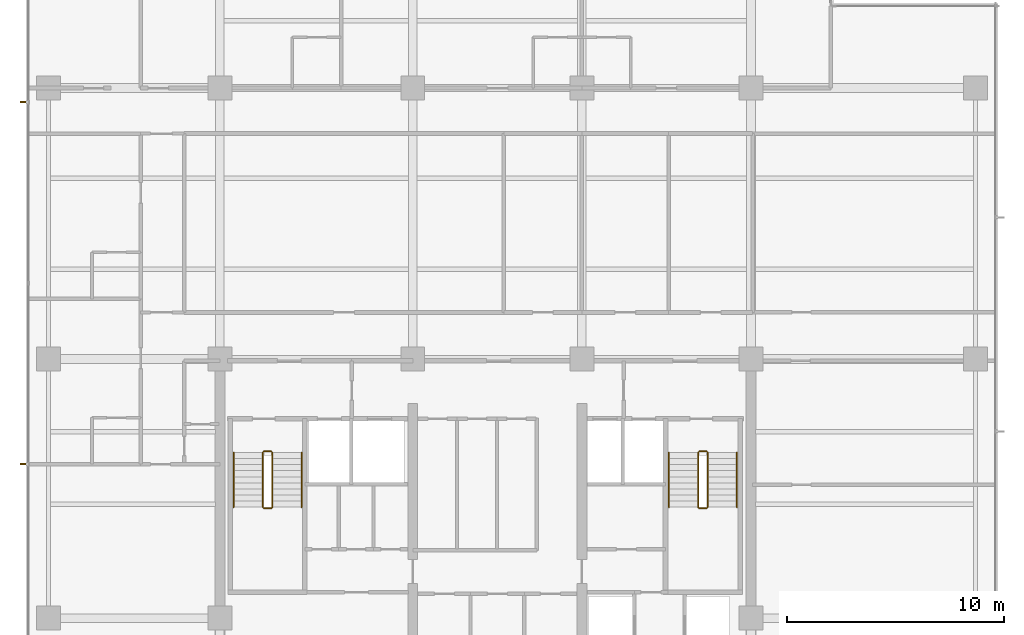
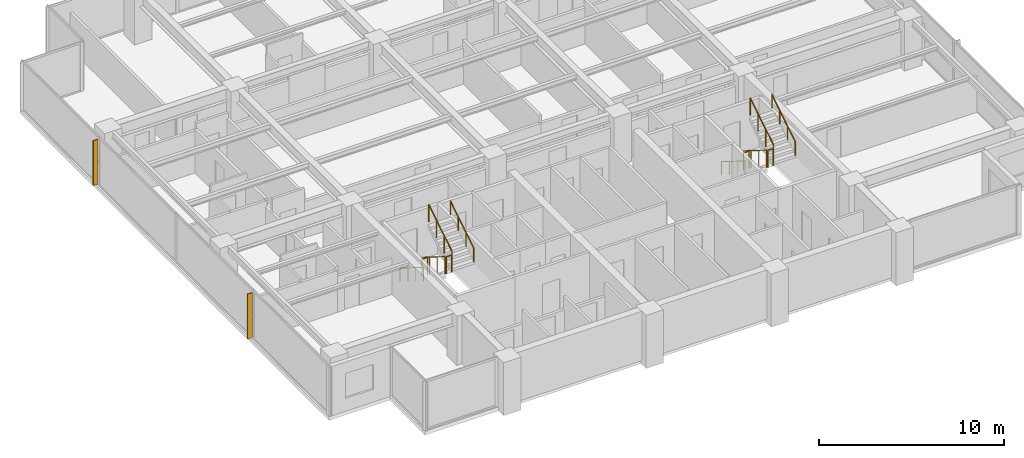
# One storey, part 14 of 15: 12 railings, 2 shading devices.
"""IFC4 building model written with IfcOpenShell, lengths in metres."""

from ifc_helpers import new_model, si_unit, direction, frame, origin, origin_2d, place, context, subcontext, project, spatial, polyline, circle, outline, extrude, material, layer, layer_set, type_object, element, save


model = new_model("IFC4")

# Units and contexts
model_context = context("Model", 3, precision=1e-05, world=origin(), true_north=direction((0.0, 1.0)))
body_context = subcontext(model_context, "Body", "Model", "MODEL_VIEW")
ifc_project = project(units=[si_unit("LENGTHUNIT", "METRE"), si_unit("AREAUNIT", "SQUARE_METRE"), si_unit("VOLUMEUNIT", "CUBIC_METRE"), si_unit("PLANEANGLEUNIT", "RADIAN"), si_unit("MASSUNIT", "GRAM", prefix="KILO")], contexts=[model_context])

# Site, building, storey
site_placement = place(None, origin())
site = spatial("IfcSite", under=ifc_project, at=site_placement, CompositionType="ELEMENT")
building_placement = place(site_placement, origin())
building = spatial("IfcBuilding", under=site, at=building_placement, Name="Qalmaran Belvedere Hotel", CompositionType="ELEMENT")
storey_placement = place(building_placement, frame((0.0, 0.0, 163.10009765625)))
storey = spatial("IfcBuildingStorey", under=building, at=storey_placement, Name="L41", CompositionType="ELEMENT", Elevation=163.10009765625)

# Shading devices
ifc_material_1 = material(Name="Anodised Bronze Aluminium", Category="aluminium")
ifc_layer = layer(ifc_material_1, 0.06494140625, Name="Anodised Bronze Aluminium")
ifc_layer_set = layer_set([ifc_layer], Name="Anodised Bronze Aluminium")
shading_device_type = type_object("IfcShadingDeviceType", Name="FIN-BRNZ-300", PredefinedType="USERDEFINED", material=ifc_layer_set)
shading_device_1_placement = place(storey_placement, frame((0.0, 0.0, 0.159912109375)))
element("IfcShadingDevice", 1, at=shading_device_1_placement, inside=storey, type_object=shading_device_type, Name="L41 Bronze Fin 1", ObjectType="FIN", PredefinedType="USERDEFINED", context=body_context, shape_type="SweptSolid", body=[
    extrude(outline(polyline([(11.3798828125, 32.382568359375), (11.080078125, 32.382568359375), (11.080078125, 32.3173828125), (11.3798828125, 32.3173828125), (11.3798828125, 32.382568359375)])), origin(), (0.0, 0.0, 1.0), 2.969970703125),
])
shading_device_2_placement = place(storey_placement, frame((0.0, 0.0, 0.159912109375)))
element("IfcShadingDevice", 2, at=shading_device_2_placement, inside=storey, type_object=shading_device_type, Name="L41 Bronze Fin 3", ObjectType="FIN", PredefinedType="USERDEFINED", context=body_context, shape_type="SweptSolid", body=[
    extrude(outline(polyline([(11.3798828125, 15.6826171875), (11.080078125, 15.6826171875), (11.080078125, 15.617431640625), (11.3798828125, 15.617431640625), (11.3798828125, 15.6826171875)])), origin(), (0.0, 0.0, 1.0), 2.969970703125),
])

# Railings
ifc_material_2 = material(Name="Stainless Steel 1.4401", Category="steel")
railing_type_1 = type_object("IfcRailingType", Name="RLG-STAIR-GUARD-1150", PredefinedType="GUARDRAIL", material=ifc_material_2)
railing_1_placement = place(storey_placement, frame((22.280029296875, 16.18994140625, 0.1748046875)))
element("IfcRailing", 3, at=railing_1_placement, inside=storey, type_object=railing_type_1, Name="L41 ST-1 stair guard 1", PredefinedType="GUARDRAIL", context=body_context, shape_type="SweptSolid", body=[
    extrude(circle(Radius=0.02392578125, at=origin_2d()), frame((0.0, 0.0, 1.1259765625), z_axis=(0.0, -0.847970611238, 0.530043245855), x_axis=(1.0, 0.0, 0.0)), (0.0, 0.0, 1.0), 2.971923828125),
    extrude(circle(Radius=0.02099609375, at=origin_2d()), origin(), (0.0, 0.0, 1.0), 1.101806640625),
    extrude(circle(Radius=0.02099609375, at=origin_2d()), frame((0.0, -0.840087890625, 0.525146484375)), (0.0, 0.0, 1.0), 1.101806640625),
    extrude(circle(Radius=0.02099609375, at=origin_2d()), frame((0.0, -1.679931640625, 1.050048828125)), (0.0, 0.0, 1.0), 1.101806640625),
    extrude(circle(Radius=0.02099609375, at=origin_2d()), frame((0.0, -2.52001953125, 1.5751953125)), (0.0, 0.0, 1.0), 1.101806640625),
])
railing_2_placement = place(storey_placement, frame((22.330078125, 13.6201171875, 1.75)))
element("IfcRailing", 4, at=railing_2_placement, inside=storey, type_object=railing_type_1, Name="L41 ST-1 stair guard 2", PredefinedType="GUARDRAIL", context=body_context, shape_type="SweptSolid", body=[
    extrude(circle(Radius=0.02392578125, at=origin_2d()), frame((0.0, 0.0, 1.1259765625), z_axis=(1.0, 0.0, 0.0), x_axis=(0.0, 1.0, 0.0)), (0.0, 0.0, 1.0), 0.33984375),
    extrude(circle(Radius=0.02099609375, at=origin_2d()), origin(), (0.0, 0.0, 1.0), 1.101806640625),
    extrude(circle(Radius=0.02099609375, at=origin_2d()), frame((0.33984375, 0.0, 0.0)), (0.0, 0.0, 1.0), 1.101806640625),
])
railing_3_placement = place(storey_placement, frame((22.719970703125, 13.669921875, 1.9248046875)))
element("IfcRailing", 5, at=railing_3_placement, inside=storey, type_object=railing_type_1, Name="L41 ST-1 stair guard 3", PredefinedType="GUARDRAIL", context=body_context, shape_type="SweptSolid", body=[
    extrude(circle(Radius=0.02392578125, at=origin_2d()), frame((0.0, 0.0, 1.1259765625), z_axis=(0.0, 0.847970611238, 0.530043245855), x_axis=(-1.0, 0.0, 0.0)), (0.0, 0.0, 1.0), 2.971923828125),
    extrude(circle(Radius=0.02099609375, at=origin_2d()), origin(), (0.0, 0.0, 1.0), 1.101806640625),
    extrude(circle(Radius=0.02099609375, at=origin_2d()), frame((0.0, 0.840087890625, 0.525146484375)), (0.0, 0.0, 1.0), 1.101806640625),
    extrude(circle(Radius=0.02099609375, at=origin_2d()), frame((0.0, 1.679931640625, 1.050048828125)), (0.0, 0.0, 1.0), 1.101806640625),
    extrude(circle(Radius=0.02099609375, at=origin_2d()), frame((0.0, 2.52001953125, 1.5751953125)), (0.0, 0.0, 1.0), 1.101806640625),
])
railing_4_placement = place(storey_placement, frame((22.330078125, 16.239990234375, 0.0)))
element("IfcRailing", 6, at=railing_4_placement, inside=storey, type_object=railing_type_1, Name="L41 ST-1 stair guard 4", PredefinedType="GUARDRAIL", context=body_context, shape_type="SweptSolid", body=[
    extrude(circle(Radius=0.02392578125, at=origin_2d()), frame((0.0, 0.0, 1.1259765625), z_axis=(1.0, 0.0, 0.0), x_axis=(0.0, 1.0, 0.0)), (0.0, 0.0, 1.0), 0.33984375),
    extrude(circle(Radius=0.02099609375, at=origin_2d()), origin(), (0.0, 0.0, 1.0), 1.101806640625),
    extrude(circle(Radius=0.02099609375, at=origin_2d()), frame((0.33984375, 0.0, 0.0)), (0.0, 0.0, 1.0), 1.101806640625),
])
railing_5_placement = place(storey_placement, frame((42.360107421875, 16.18994140625, 0.1748046875)))
element("IfcRailing", 7, at=railing_5_placement, inside=storey, type_object=railing_type_1, Name="L41 ST-2 stair guard 1", PredefinedType="GUARDRAIL", context=body_context, shape_type="SweptSolid", body=[
    extrude(circle(Radius=0.02392578125, at=origin_2d()), frame((0.0, 0.0, 1.1259765625), z_axis=(0.0, -0.847970611238, 0.530043245855), x_axis=(1.0, 0.0, 0.0)), (0.0, 0.0, 1.0), 2.971923828125),
    extrude(circle(Radius=0.02099609375, at=origin_2d()), origin(), (0.0, 0.0, 1.0), 1.101806640625),
    extrude(circle(Radius=0.02099609375, at=origin_2d()), frame((0.0, -0.840087890625, 0.525146484375)), (0.0, 0.0, 1.0), 1.101806640625),
    extrude(circle(Radius=0.02099609375, at=origin_2d()), frame((0.0, -1.679931640625, 1.050048828125)), (0.0, 0.0, 1.0), 1.101806640625),
    extrude(circle(Radius=0.02099609375, at=origin_2d()), frame((0.0, -2.52001953125, 1.5751953125)), (0.0, 0.0, 1.0), 1.101806640625),
])
railing_6_placement = place(storey_placement, frame((42.409912109375, 13.6201171875, 1.75)))
element("IfcRailing", 8, at=railing_6_placement, inside=storey, type_object=railing_type_1, Name="L41 ST-2 stair guard 2", PredefinedType="GUARDRAIL", context=body_context, shape_type="SweptSolid", body=[
    extrude(circle(Radius=0.02392578125, at=origin_2d()), frame((0.0, 0.0, 1.1259765625), z_axis=(1.0, 0.0, 0.0), x_axis=(0.0, 1.0, 0.0)), (0.0, 0.0, 1.0), 0.340087890625),
    extrude(circle(Radius=0.02099609375, at=origin_2d()), origin(), (0.0, 0.0, 1.0), 1.101806640625),
    extrude(circle(Radius=0.02099609375, at=origin_2d()), frame((0.340087890625, 0.0, 0.0)), (0.0, 0.0, 1.0), 1.101806640625),
])
railing_7_placement = place(storey_placement, frame((42.800048828125, 13.669921875, 1.9248046875)))
element("IfcRailing", 9, at=railing_7_placement, inside=storey, type_object=railing_type_1, Name="L41 ST-2 stair guard 3", PredefinedType="GUARDRAIL", context=body_context, shape_type="SweptSolid", body=[
    extrude(circle(Radius=0.02392578125, at=origin_2d()), frame((0.0, 0.0, 1.1259765625), z_axis=(0.0, 0.847970611238, 0.530043245855), x_axis=(-1.0, 0.0, 0.0)), (0.0, 0.0, 1.0), 2.971923828125),
    extrude(circle(Radius=0.02099609375, at=origin_2d()), origin(), (0.0, 0.0, 1.0), 1.101806640625),
    extrude(circle(Radius=0.02099609375, at=origin_2d()), frame((0.0, 0.840087890625, 0.525146484375)), (0.0, 0.0, 1.0), 1.101806640625),
    extrude(circle(Radius=0.02099609375, at=origin_2d()), frame((0.0, 1.679931640625, 1.050048828125)), (0.0, 0.0, 1.0), 1.101806640625),
    extrude(circle(Radius=0.02099609375, at=origin_2d()), frame((0.0, 2.52001953125, 1.5751953125)), (0.0, 0.0, 1.0), 1.101806640625),
])
railing_8_placement = place(storey_placement, frame((42.409912109375, 16.239990234375, 0.0)))
element("IfcRailing", 10, at=railing_8_placement, inside=storey, type_object=railing_type_1, Name="L41 ST-2 stair guard 4", PredefinedType="GUARDRAIL", context=body_context, shape_type="SweptSolid", body=[
    extrude(circle(Radius=0.02392578125, at=origin_2d()), frame((0.0, 0.0, 1.1259765625), z_axis=(1.0, 0.0, 0.0), x_axis=(0.0, 1.0, 0.0)), (0.0, 0.0, 1.0), 0.340087890625),
    extrude(circle(Radius=0.02099609375, at=origin_2d()), origin(), (0.0, 0.0, 1.0), 1.101806640625),
    extrude(circle(Radius=0.02099609375, at=origin_2d()), frame((0.340087890625, 0.0, 0.0)), (0.0, 0.0, 1.0), 1.101806640625),
])
railing_type_2 = type_object("IfcRailingType", Name="RLG-STAIR-HAND-910", PredefinedType="HANDRAIL", material=ifc_material_2)
railing_9_placement = place(storey_placement, frame((20.929931640625, 16.18994140625, 0.1748046875)))
element("IfcRailing", 11, at=railing_9_placement, inside=storey, type_object=railing_type_2, Name="L41 ST-1 stair handrail 1", PredefinedType="HANDRAIL", context=body_context, shape_type="SweptSolid", body=[
    extrude(circle(Radius=0.02392578125, at=origin_2d()), frame((0.0, 0.0, 0.8857421875), z_axis=(0.0, -0.847970611238, 0.530043245855), x_axis=(1.0, 0.0, 0.0)), (0.0, 0.0, 1.0), 2.971923828125),
    extrude(circle(Radius=0.02099609375, at=origin_2d()), origin(), (0.0, 0.0, 1.0), 0.86181640625),
    extrude(circle(Radius=0.02099609375, at=origin_2d()), frame((0.0, -0.840087890625, 0.525146484375)), (0.0, 0.0, 1.0), 0.86181640625),
    extrude(circle(Radius=0.02099609375, at=origin_2d()), frame((0.0, -1.679931640625, 1.050048828125)), (0.0, 0.0, 1.0), 0.86181640625),
    extrude(circle(Radius=0.02099609375, at=origin_2d()), frame((0.0, -2.52001953125, 1.5751953125)), (0.0, 0.0, 1.0), 0.86181640625),
])
railing_10_placement = place(storey_placement, frame((24.070068359375, 13.669921875, 1.9248046875)))
element("IfcRailing", 12, at=railing_10_placement, inside=storey, type_object=railing_type_2, Name="L41 ST-1 stair handrail 2", PredefinedType="HANDRAIL", context=body_context, shape_type="SweptSolid", body=[
    extrude(circle(Radius=0.02392578125, at=origin_2d()), frame((0.0, 0.0, 0.8857421875), z_axis=(0.0, 0.847970611238, 0.530043245855), x_axis=(-1.0, 0.0, 0.0)), (0.0, 0.0, 1.0), 2.971923828125),
    extrude(circle(Radius=0.02099609375, at=origin_2d()), origin(), (0.0, 0.0, 1.0), 0.86181640625),
    extrude(circle(Radius=0.02099609375, at=origin_2d()), frame((0.0, 0.840087890625, 0.525146484375)), (0.0, 0.0, 1.0), 0.86181640625),
    extrude(circle(Radius=0.02099609375, at=origin_2d()), frame((0.0, 1.679931640625, 1.050048828125)), (0.0, 0.0, 1.0), 0.86181640625),
    extrude(circle(Radius=0.02099609375, at=origin_2d()), frame((0.0, 2.52001953125, 1.5751953125)), (0.0, 0.0, 1.0), 0.86181640625),
])
railing_11_placement = place(storey_placement, frame((41.010009765625, 16.18994140625, 0.1748046875)))
element("IfcRailing", 13, at=railing_11_placement, inside=storey, type_object=railing_type_2, Name="L41 ST-2 stair handrail 1", PredefinedType="HANDRAIL", context=body_context, shape_type="SweptSolid", body=[
    extrude(circle(Radius=0.02392578125, at=origin_2d()), frame((0.0, 0.0, 0.8857421875), z_axis=(0.0, -0.847970611238, 0.530043245855), x_axis=(1.0, 0.0, 0.0)), (0.0, 0.0, 1.0), 2.971923828125),
    extrude(circle(Radius=0.02099609375, at=origin_2d()), origin(), (0.0, 0.0, 1.0), 0.86181640625),
    extrude(circle(Radius=0.02099609375, at=origin_2d()), frame((0.0, -0.840087890625, 0.525146484375)), (0.0, 0.0, 1.0), 0.86181640625),
    extrude(circle(Radius=0.02099609375, at=origin_2d()), frame((0.0, -1.679931640625, 1.050048828125)), (0.0, 0.0, 1.0), 0.86181640625),
    extrude(circle(Radius=0.02099609375, at=origin_2d()), frame((0.0, -2.52001953125, 1.5751953125)), (0.0, 0.0, 1.0), 0.86181640625),
])
railing_12_placement = place(storey_placement, frame((44.14990234375, 13.669921875, 1.9248046875)))
element("IfcRailing", 14, at=railing_12_placement, inside=storey, type_object=railing_type_2, Name="L41 ST-2 stair handrail 2", PredefinedType="HANDRAIL", context=body_context, shape_type="SweptSolid", body=[
    extrude(circle(Radius=0.02392578125, at=origin_2d()), frame((0.0, 0.0, 0.8857421875), z_axis=(0.0, 0.847970611238, 0.530043245855), x_axis=(-1.0, 0.0, 0.0)), (0.0, 0.0, 1.0), 2.971923828125),
    extrude(circle(Radius=0.02099609375, at=origin_2d()), origin(), (0.0, 0.0, 1.0), 0.86181640625),
    extrude(circle(Radius=0.02099609375, at=origin_2d()), frame((0.0, 0.840087890625, 0.525146484375)), (0.0, 0.0, 1.0), 0.86181640625),
    extrude(circle(Radius=0.02099609375, at=origin_2d()), frame((0.0, 1.679931640625, 1.050048828125)), (0.0, 0.0, 1.0), 0.86181640625),
    extrude(circle(Radius=0.02099609375, at=origin_2d()), frame((0.0, 2.52001953125, 1.5751953125)), (0.0, 0.0, 1.0), 0.86181640625),
])

save(model, "model.ifc")
